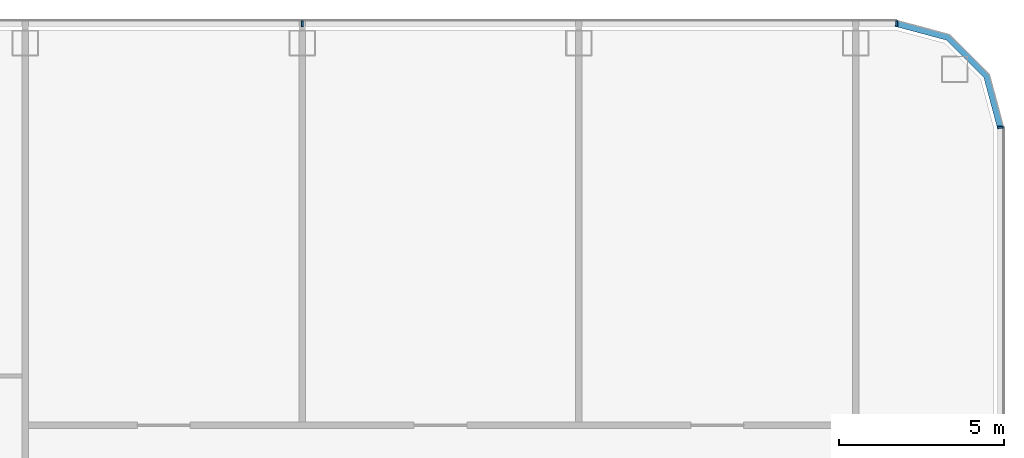
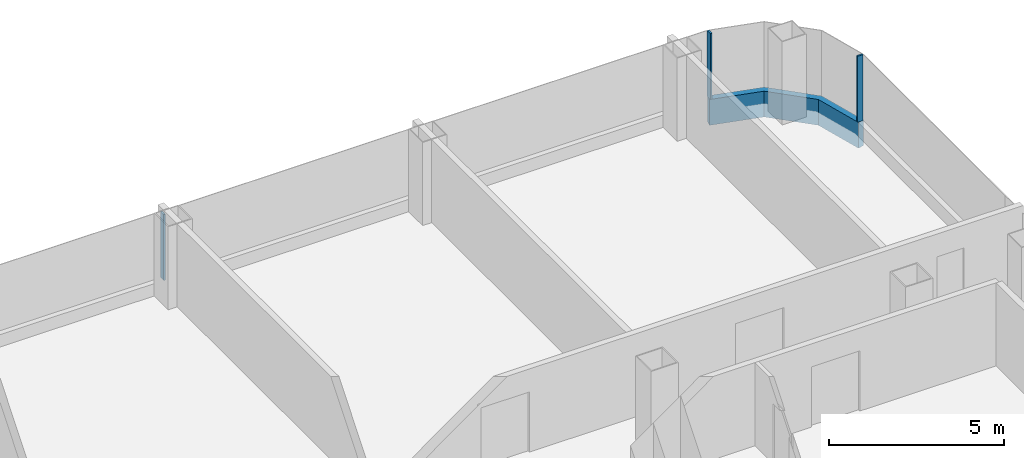
# One storey, part 13 of 29: 4 members, 3 elements without a shape of their own.
"""IFC4 building model written with IfcOpenShell, lengths in metres."""

from ifc_helpers import new_model, si_unit, direction, frame, origin, origin_2d, place, context, subcontext, project, spatial, polyline, rectangle, outline, extrude, material, layer, layer_set, material_profile, profile_set, type_object, element, aggregate, save


model = new_model("IFC4")

# Units and contexts
model_context = context("Model", 3, precision=1e-05, world=origin(), true_north=direction((0.0, 1.0)))
body_context = subcontext(model_context, "Body", "Model", "MODEL_VIEW")
ifc_project = project(units=[si_unit("LENGTHUNIT", "METRE"), si_unit("AREAUNIT", "SQUARE_METRE"), si_unit("VOLUMEUNIT", "CUBIC_METRE"), si_unit("PLANEANGLEUNIT", "RADIAN"), si_unit("MASSUNIT", "GRAM", prefix="KILO")], contexts=[model_context])

# Site, building, storey
site_placement = place(None, origin())
site = spatial("IfcSite", under=ifc_project, at=site_placement, CompositionType="ELEMENT")
building_placement = place(site_placement, origin())
building = spatial("IfcBuilding", under=site, at=building_placement, Name="Hakoniwa Tower and Hamabe Station Hall", CompositionType="ELEMENT")
storey_placement = place(building_placement, frame((0.0, 0.0, 117.0)))
storey = spatial("IfcBuildingStorey", under=building, at=storey_placement, Name="L33", CompositionType="ELEMENT", Elevation=117.0)

# Curtain wall, member
ifc_material_1 = material(Name="Dark low-e laminated glass", Category="glass")
ifc_layer = layer(ifc_material_1, 0.199951171875)
ifc_layer_set = layer_set([ifc_layer], Name="CW-1 UNITISED GUEST")
curtain_wall_type = type_object("IfcCurtainWallType", Name="CW-1 UNITISED GUEST", PredefinedType="NOTDEFINED", material=ifc_layer_set)
curtain_wall_1_placement = place(storey_placement, origin())
curtain_wall_1 = element("IfcCurtainWall", 1, at=curtain_wall_1_placement, inside=storey, type_object=curtain_wall_type, Name="CW-1 curtain wall", PredefinedType="NOTDEFINED")
ifc_material_2 = material(Name="Aluminium 6063-T5 black anodised", Category="aluminium")
ifc_material_profile_1 = material_profile(ifc_material_2, rectangle(XDim=0.199951171875, YDim=0.89990234375, at=origin_2d()), Name="CW SLAB-EDGE BAND 900X200")
ifc_profile_set_1 = profile_set([ifc_material_profile_1], Name="Aluminium 6063-T5 black anodised")
member_type_1 = type_object("IfcMemberType", Name="CW SLAB-EDGE BAND 900X200", PredefinedType="USERDEFINED", material=ifc_profile_set_1)
member_1_placement = place(storey_placement, frame((0.0, 0.0, -0.550048828125)))
member_1 = element("IfcMember", 2, at=member_1_placement, type_object=member_type_1, Name="CW-1 transom", ObjectType="TRANSOM", PredefinedType="USERDEFINED", context=body_context, shape_type="SweptSolid", body=[
    extrude(outline(polyline([(46.5, 20.28955078125), (46.067138671875, 21.9052734375), (44.855224609375, 23.116943359375), (43.239501953125, 23.550048828125), (43.187744140625, 23.35693359375), (44.751708984375, 22.937744140625), (45.8876953125, 21.8017578125), (46.306884765625, 20.23779296875), (46.5, 20.28955078125)])), origin(), (0.0, 0.0, 1.0), 0.900146484375),
])
aggregate(curtain_wall_1, [member_1])

curtain_wall_2_placement = place(storey_placement, origin())
curtain_wall_2 = element("IfcCurtainWall", 3, at=curtain_wall_2_placement, inside=storey, type_object=curtain_wall_type, Name="CW-1 curtain wall", PredefinedType="NOTDEFINED")
ifc_material_3 = material(Name="Aluminium 6063-T5 black anodised", Category="aluminium")
ifc_material_profile_2 = material_profile(ifc_material_3, rectangle(XDim=0.06005859375, YDim=0.179931640625, at=origin_2d()), Name="CW-1 MULLION 60X180")
ifc_profile_set_2 = profile_set([ifc_material_profile_2], Name="Aluminium 6063-T5 black anodised")
member_type_2 = type_object("IfcMemberType", Name="CW-1 MULLION 60X180", PredefinedType="MULLION", material=ifc_profile_set_2)
member_2_placement = place(storey_placement, frame((46.382080078125, 20.28955078125, 0.35009765625), z_axis=(0.0, 0.0, 1.0), x_axis=(0.0, 1.0, 0.0)))
member_2 = element("IfcMember", 4, at=member_2_placement, type_object=member_type_2, Name="CW-1 mullion", PredefinedType="MULLION", context=body_context, shape_type="SweptSolid", body=[
    extrude(rectangle(XDim=0.06005859375, YDim=0.179931640625, at=origin_2d()), origin(), (0.0, 0.0, 1.0), 2.2998046875),
])
aggregate(curtain_wall_2, [member_2])

# Curtain wall, members
curtain_wall_3_placement = place(storey_placement, origin())
curtain_wall_3 = element("IfcCurtainWall", 5, at=curtain_wall_3_placement, inside=storey, type_object=curtain_wall_type, Name="CW-1 curtain wall", PredefinedType="NOTDEFINED")
member_3_placement = place(storey_placement, frame((43.239501953125, 23.431884765625, 0.35009765625), z_axis=(0.0, 0.0, 1.0), x_axis=(-1.0, 0.0, 0.0)))
member_3 = element("IfcMember", 6, at=member_3_placement, type_object=member_type_2, Name="CW-1 mullion", PredefinedType="MULLION", context=body_context, shape_type="SweptSolid", body=[
    extrude(rectangle(XDim=0.06005859375, YDim=0.179931640625, at=origin_2d()), origin(), (0.0, 0.0, 1.0), 2.2998046875),
])
member_4_placement = place(storey_placement, frame((25.199951171875, 23.431884765625, 0.35009765625), z_axis=(0.0, 0.0, 1.0), x_axis=(-1.0, 0.0, 0.0)))
member_4 = element("IfcMember", 7, at=member_4_placement, type_object=member_type_2, Name="CW-1 mullion", PredefinedType="MULLION", context=body_context, shape_type="SweptSolid", body=[
    extrude(rectangle(XDim=0.06005859375, YDim=0.179931640625, at=origin_2d()), origin(), (0.0, 0.0, 1.0), 2.2998046875),
])
aggregate(curtain_wall_3, [member_3, member_4])

save(model, "model.ifc")
